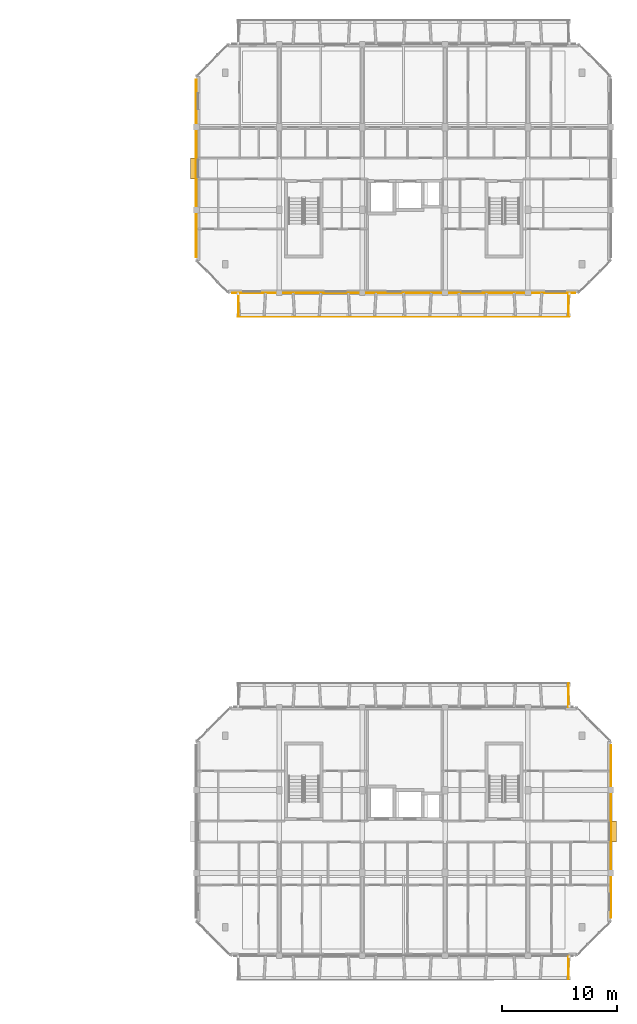
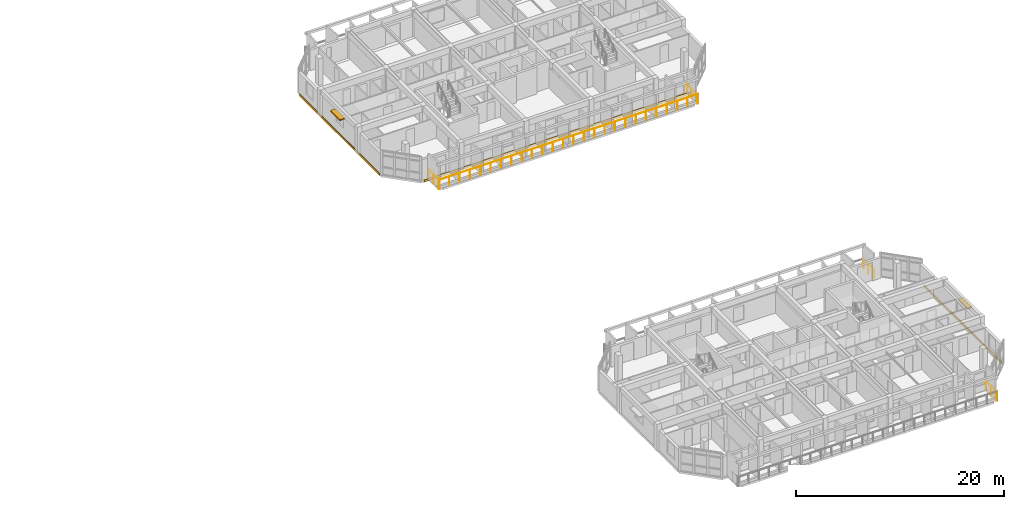
# One storey, part 43 of 45: 5 railings, 3 coverings, 2 shading devices.
"""IFC4 building model written with IfcOpenShell, lengths in metres."""

from ifc_helpers import new_model, si_unit, direction, frame, origin, origin_2d, place, context, subcontext, project, spatial, rectangle, circle, extrude, material, layer, layer_set, type_object, element, save


model = new_model("IFC4")

# Units and contexts
model_context = context("Model", 3, precision=1e-05, world=origin(), true_north=direction((0.0, 1.0)))
body_context = subcontext(model_context, "Body", "Model", "MODEL_VIEW")
ifc_project = project(units=[si_unit("LENGTHUNIT", "METRE"), si_unit("AREAUNIT", "SQUARE_METRE"), si_unit("VOLUMEUNIT", "CUBIC_METRE"), si_unit("PLANEANGLEUNIT", "RADIAN"), si_unit("MASSUNIT", "GRAM", prefix="KILO")], contexts=[model_context])

# Site, building, storey
site_placement = place(None, origin())
site = spatial("IfcSite", under=ifc_project, at=site_placement, CompositionType="ELEMENT")
building_placement = place(site_placement, origin())
building = spatial("IfcBuilding", under=site, at=building_placement, Name="Ochrevale Crest", CompositionType="ELEMENT")
storey_placement = place(building_placement, frame((0.0, 0.0, 18.14990234375)))
storey = spatial("IfcBuildingStorey", under=building, at=storey_placement, Name="L05", CompositionType="ELEMENT", Elevation=18.14990234375)

# Coverings
ifc_material_1 = material(Name="Glazed terracotta rainscreen tile", Category="masonry")
ifc_layer = layer(ifc_material_1, 0.048095703125)
ifc_layer_set = layer_set([ifc_layer], Name="Glazed terracotta rainscreen tile")
covering_type = type_object("IfcCoveringType", Name="COV-CLAD-TER", PredefinedType="CLADDING", material=ifc_layer_set)
covering_1_placement = place(storey_placement, frame((165.614501953125, 25.199951171875, -0.259765625), z_axis=(0.0, 0.0, 1.0), x_axis=(0.0, 1.0, 0.0)))
element("IfcCovering", 1, at=covering_1_placement, inside=storey, type_object=covering_type, Name="Block C L05 terracotta slab-edge spandrel cladding", PredefinedType="CLADDING", context=body_context, shape_type="SweptSolid", body=[
    extrude(rectangle(XDim=15.0, YDim=0.06005859375, at=origin_2d()), origin(), (0.0, 0.0, 1.0), 0.280029296875),
])
covering_2_placement = place(storey_placement, frame((147.60009765625, 71.987548828125, -0.259765625), z_axis=(0.0, 0.0, 1.0), x_axis=(1.0, 0.0, 0.0)))
element("IfcCovering", 2, at=covering_2_placement, inside=storey, type_object=covering_type, Name="Block D L05 terracotta slab-edge spandrel cladding", PredefinedType="CLADDING", context=body_context, shape_type="SweptSolid", body=[
    extrude(rectangle(XDim=29.800048828125, YDim=0.06005859375, at=origin_2d()), origin(), (0.0, 0.0, 1.0), 0.280029296875),
])
covering_3_placement = place(storey_placement, frame((129.58544921875, 82.800048828125, -0.259765625), z_axis=(0.0, 0.0, 1.0), x_axis=(0.0, -1.0, 0.0)))
element("IfcCovering", 3, at=covering_3_placement, inside=storey, type_object=covering_type, Name="Block D L05 terracotta slab-edge spandrel cladding", PredefinedType="CLADDING", context=body_context, shape_type="SweptSolid", body=[
    extrude(rectangle(XDim=15.39990234375, YDim=0.06005859375, at=origin_2d()), origin(), (0.0, 0.0, 1.0), 0.280029296875),
])

# Railings
ifc_material_2 = material(Name="Galvanised steel", Category="steel")
railing_type = type_object("IfcRailingType", Name="RL-BAL-1100", PredefinedType="BALUSTRADE", material=ifc_material_2)
railing_1_placement = place(storey_placement, frame((161.93994140625, 14.39990234375, 0.0)))
element("IfcRailing", 4, at=railing_1_placement, inside=storey, type_object=railing_type, Name="Block C L05 S-E balcony side guard", PredefinedType="BALUSTRADE", context=body_context, shape_type="SweptSolid", body=[
    extrude(circle(Radius=0.02392578125, at=origin_2d()), frame((0.0, 0.0, 1.0859375), z_axis=(0.0, -1.0, 0.0), x_axis=(1.0, 0.0, 0.0)), (0.0, 0.0, 1.0), 2.039794921875),
    extrude(circle(Radius=0.02099609375, at=origin_2d()), origin(), (0.0, 0.0, 1.0), 1.06201171875),
    extrude(circle(Radius=0.02099609375, at=origin_2d()), frame((0.0, -1.02001953125, 0.0)), (0.0, 0.0, 1.0), 1.06201171875),
    extrude(circle(Radius=0.02099609375, at=origin_2d()), frame((0.0, -2.039794921875, 0.0)), (0.0, 0.0, 1.0), 1.06201171875),
])
railing_2_placement = place(storey_placement, frame((161.93994140625, 36.0, 0.0)))
element("IfcRailing", 5, at=railing_2_placement, inside=storey, type_object=railing_type, Name="Block C L05 N-E balcony side guard", PredefinedType="BALUSTRADE", context=body_context, shape_type="SweptSolid", body=[
    extrude(circle(Radius=0.02392578125, at=origin_2d()), frame((0.0, 0.0, 1.0859375), z_axis=(0.0, 1.0, 0.0), x_axis=(-1.0, 0.0, 0.0)), (0.0, 0.0, 1.0), 2.0400390625),
    extrude(circle(Radius=0.02099609375, at=origin_2d()), origin(), (0.0, 0.0, 1.0), 1.06201171875),
    extrude(circle(Radius=0.02099609375, at=origin_2d()), frame((0.0, 1.02001953125, 0.0)), (0.0, 0.0, 1.0), 1.06201171875),
    extrude(circle(Radius=0.02099609375, at=origin_2d()), frame((0.0, 2.0400390625, 0.0)), (0.0, 0.0, 1.0), 1.06201171875),
])
railing_3_placement = place(storey_placement, frame((133.199951171875, 69.9599609375, 0.0)))
element("IfcRailing", 6, at=railing_3_placement, inside=storey, type_object=railing_type, Name="Block D L05 S balcony front balustrade", PredefinedType="BALUSTRADE", context=body_context, shape_type="SweptSolid", body=[
    extrude(circle(Radius=0.02392578125, at=origin_2d()), frame((0.0, 0.0, 1.0859375), z_axis=(1.0, 0.0, 0.0), x_axis=(0.0, 1.0, 0.0)), (0.0, 0.0, 1.0), 28.800048828125),
    extrude(circle(Radius=0.02099609375, at=origin_2d()), origin(), (0.0, 0.0, 1.0), 1.06201171875),
    extrude(circle(Radius=0.02099609375, at=origin_2d()), frame((1.152099609375, 0.0, 0.0)), (0.0, 0.0, 1.0), 1.06201171875),
    extrude(circle(Radius=0.02099609375, at=origin_2d()), frame((2.303955078125, 0.0, 0.0)), (0.0, 0.0, 1.0), 1.06201171875),
    extrude(circle(Radius=0.02099609375, at=origin_2d()), frame((3.4560546875, 0.0, 0.0)), (0.0, 0.0, 1.0), 1.06201171875),
    extrude(circle(Radius=0.02099609375, at=origin_2d()), frame((4.60791015625, 0.0, 0.0)), (0.0, 0.0, 1.0), 1.06201171875),
    extrude(circle(Radius=0.02099609375, at=origin_2d()), frame((5.760009765625, 0.0, 0.0)), (0.0, 0.0, 1.0), 1.06201171875),
    extrude(circle(Radius=0.02099609375, at=origin_2d()), frame((6.912109375, 0.0, 0.0)), (0.0, 0.0, 1.0), 1.06201171875),
    extrude(circle(Radius=0.02099609375, at=origin_2d()), frame((8.06396484375, 0.0, 0.0)), (0.0, 0.0, 1.0), 1.06201171875),
    extrude(circle(Radius=0.02099609375, at=origin_2d()), frame((9.216064453125, 0.0, 0.0)), (0.0, 0.0, 1.0), 1.06201171875),
    extrude(circle(Radius=0.02099609375, at=origin_2d()), frame((10.367919921875, 0.0, 0.0)), (0.0, 0.0, 1.0), 1.06201171875),
    extrude(circle(Radius=0.02099609375, at=origin_2d()), frame((11.52001953125, 0.0, 0.0)), (0.0, 0.0, 1.0), 1.06201171875),
    extrude(circle(Radius=0.02099609375, at=origin_2d()), frame((12.672119140625, 0.0, 0.0)), (0.0, 0.0, 1.0), 1.06201171875),
    extrude(circle(Radius=0.02099609375, at=origin_2d()), frame((13.823974609375, 0.0, 0.0)), (0.0, 0.0, 1.0), 1.06201171875),
    extrude(circle(Radius=0.02099609375, at=origin_2d()), frame((14.97607421875, 0.0, 0.0)), (0.0, 0.0, 1.0), 1.06201171875),
    extrude(circle(Radius=0.02099609375, at=origin_2d()), frame((16.1279296875, 0.0, 0.0)), (0.0, 0.0, 1.0), 1.06201171875),
    extrude(circle(Radius=0.02099609375, at=origin_2d()), frame((17.280029296875, 0.0, 0.0)), (0.0, 0.0, 1.0), 1.06201171875),
    extrude(circle(Radius=0.02099609375, at=origin_2d()), frame((18.43212890625, 0.0, 0.0)), (0.0, 0.0, 1.0), 1.06201171875),
    extrude(circle(Radius=0.02099609375, at=origin_2d()), frame((19.583984375, 0.0, 0.0)), (0.0, 0.0, 1.0), 1.06201171875),
    extrude(circle(Radius=0.02099609375, at=origin_2d()), frame((20.736083984375, 0.0, 0.0)), (0.0, 0.0, 1.0), 1.06201171875),
    extrude(circle(Radius=0.02099609375, at=origin_2d()), frame((21.887939453125, 0.0, 0.0)), (0.0, 0.0, 1.0), 1.06201171875),
    extrude(circle(Radius=0.02099609375, at=origin_2d()), frame((23.0400390625, 0.0, 0.0)), (0.0, 0.0, 1.0), 1.06201171875),
    extrude(circle(Radius=0.02099609375, at=origin_2d()), frame((24.192138671875, 0.0, 0.0)), (0.0, 0.0, 1.0), 1.06201171875),
    extrude(circle(Radius=0.02099609375, at=origin_2d()), frame((25.343994140625, 0.0, 0.0)), (0.0, 0.0, 1.0), 1.06201171875),
    extrude(circle(Radius=0.02099609375, at=origin_2d()), frame((26.49609375, 0.0, 0.0)), (0.0, 0.0, 1.0), 1.06201171875),
    extrude(circle(Radius=0.02099609375, at=origin_2d()), frame((27.64794921875, 0.0, 0.0)), (0.0, 0.0, 1.0), 1.06201171875),
    extrude(circle(Radius=0.02099609375, at=origin_2d()), frame((28.800048828125, 0.0, 0.0)), (0.0, 0.0, 1.0), 1.06201171875),
])
for number, where, name in (
    (7, (133.260009765625, 72.0, 0.0), "Block D L05 S-W balcony side guard"),
    (8, (161.93994140625, 72.0, 0.0), "Block D L05 S-E balcony side guard"),
):
    element("IfcRailing", number, at=place(storey_placement, frame(where)), inside=storey, type_object=railing_type, Name=name, PredefinedType="BALUSTRADE", context=body_context, shape_type="SweptSolid", body=[
        extrude(circle(Radius=0.02392578125, at=origin_2d()), frame((0.0, 0.0, 1.0859375), z_axis=(0.0, -1.0, 0.0), x_axis=(1.0, 0.0, 0.0)), (0.0, 0.0, 1.0), 2.0400390625),
        extrude(circle(Radius=0.02099609375, at=origin_2d()), origin(), (0.0, 0.0, 1.0), 1.06201171875),
        extrude(circle(Radius=0.02099609375, at=origin_2d()), frame((0.0, -1.02001953125, 0.0)), (0.0, 0.0, 1.0), 1.06201171875),
        extrude(circle(Radius=0.02099609375, at=origin_2d()), frame((0.0, -2.0400390625, 0.0)), (0.0, 0.0, 1.0), 1.06201171875),
    ])

# Shading devices
ifc_material_3 = material(Name="Anodised aluminium 6063-T5", Category="aluminium")
shading_device_type = type_object("IfcShadingDeviceType", Name="SHD-SUNSHADE-OC", PredefinedType="USERDEFINED", material=ifc_material_3)
for number, where, z_axis, x_axis, name in (
    (9, (165.840087890625, 25.199951171875, 2.2099609375), (0.0, 0.0, 1.0), (1.0, 0.0, 0.0), "Block C L05 gable window sunshade E"),
    (10, (129.360107421875, 82.800048828125, 2.2099609375), (0.0, 0.0, 1.0), (1.0, 0.0, 0.0), "Block D L05 gable window sunshade W"),
):
    element("IfcShadingDevice", number, at=place(storey_placement, frame(where, z_axis=z_axis, x_axis=x_axis)), inside=storey, type_object=shading_device_type, Name=name, ObjectType="HORIZONTAL SUNSHADE", PredefinedType="USERDEFINED", context=body_context, shape_type="SweptSolid", body=[
        extrude(rectangle(XDim=0.550048828125, YDim=1.800048828125, at=origin_2d()), origin(), (0.0, 0.0, 1.0), 0.139892578125),
    ])

save(model, "model.ifc")
